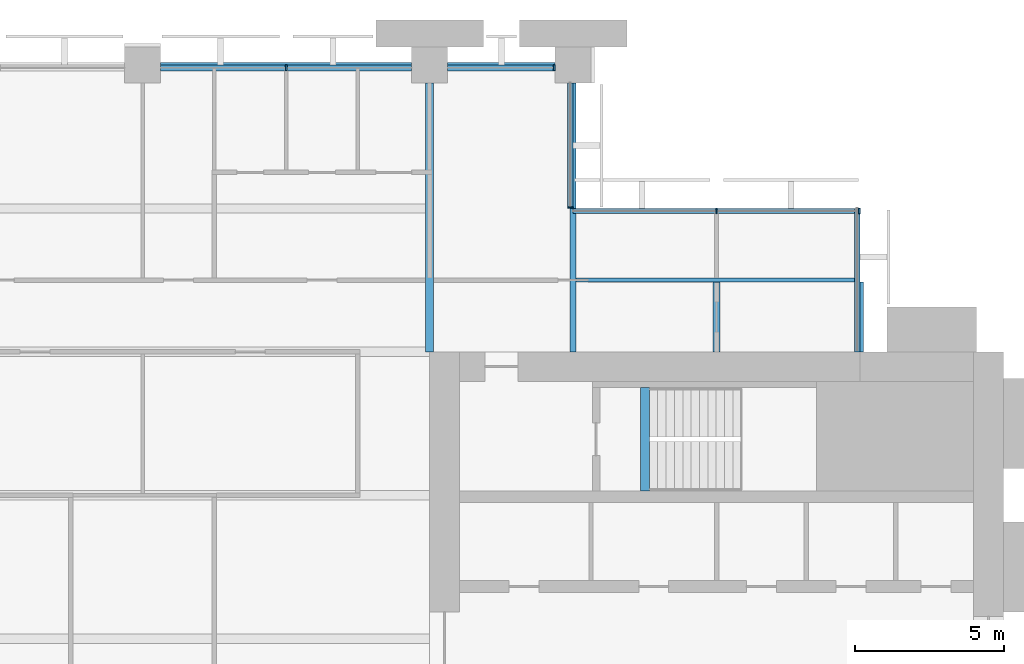
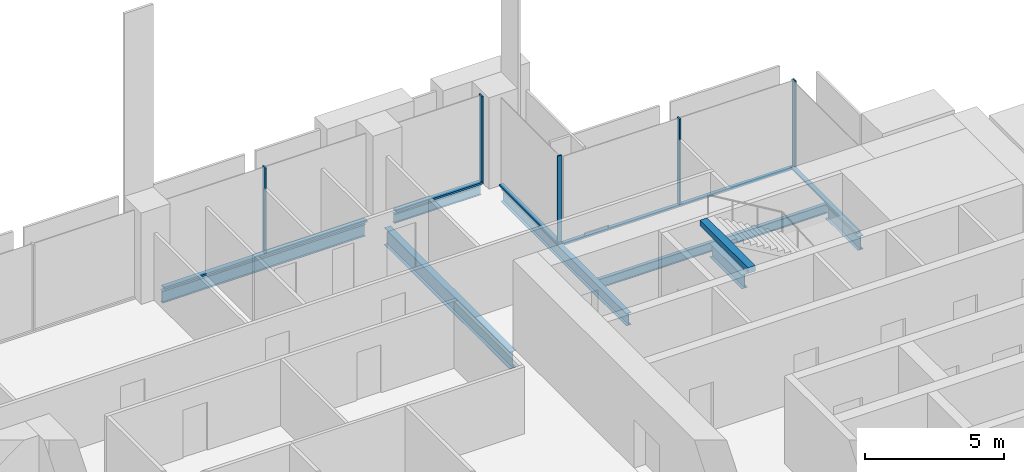
# One storey, part 7 of 14: 10 members, 8 beams, 4 elements without a shape of their own.
"""IFC4 building model written with IfcOpenShell, lengths in metres."""

from ifc_helpers import new_model, si_unit, direction, frame, origin, origin_2d, place, context, subcontext, project, spatial, rectangle, i_section, extrude, material, material_profile, profile_set, type_object, element, aggregate, save


model = new_model("IFC4")

# Units and contexts
model_context = context("Model", 3, precision=1e-05, world=origin(), true_north=direction((0.0, 1.0)))
body_context = subcontext(model_context, "Body", "Model", "MODEL_VIEW")
ifc_project = project(units=[si_unit("LENGTHUNIT", "METRE"), si_unit("AREAUNIT", "SQUARE_METRE"), si_unit("VOLUMEUNIT", "CUBIC_METRE"), si_unit("PLANEANGLEUNIT", "RADIAN"), si_unit("MASSUNIT", "GRAM", prefix="KILO")], contexts=[model_context])

# Site, building, storey
site_placement = place(None, origin())
site = spatial("IfcSite", under=ifc_project, at=site_placement, CompositionType="ELEMENT")
building_placement = place(site_placement, origin())
building = spatial("IfcBuilding", under=site, at=building_placement, Name="Baori Bourse Tower", CompositionType="ELEMENT")
storey_placement = place(building_placement, frame((0.0, 0.0, 108.10009765625)))
storey = spatial("IfcBuildingStorey", under=building, at=storey_placement, Name="L22", CompositionType="ELEMENT", Elevation=108.10009765625)

# Curtain wall, members
ifc_material_1 = material(Name="Pale anodised aluminium", Category="aluminium")
curtain_wall_type_1 = type_object("IfcCurtainWallType", Name="CW1 Curtain wall", PredefinedType="NOTDEFINED", material=ifc_material_1)
curtain_wall_1_placement = place(storey_placement, origin())
curtain_wall_1 = element("IfcCurtainWall", 1, at=curtain_wall_1_placement, inside=storey, type_object=curtain_wall_type_1, Name="Curtain wall CW1 L22 4", PredefinedType="NOTDEFINED")
ifc_material_2 = material(Name="Pale anodised aluminium", Category="aluminium")
ifc_material_profile_1 = material_profile(ifc_material_2, rectangle(XDim=0.199951171875, YDim=0.06005859375, at=origin_2d()), Name="Mullion 60x200")
ifc_profile_set_1 = profile_set([ifc_material_profile_1], Name="Pale anodised aluminium")
member_type_1 = type_object("IfcMemberType", Name="CW1 Curtain wall mullion", PredefinedType="MULLION", material=ifc_profile_set_1)
member_1_placement = place(storey_placement, frame((42.570068359375, 47.89990234375, 0.079833984375), z_axis=(0.0, 0.0, 1.0), x_axis=(0.0, -1.0, 0.0)))
member_1 = element("IfcMember", 2, at=member_1_placement, type_object=member_type_1, Name="Curtain wall CW1 mullion", PredefinedType="MULLION", context=body_context, shape_type="SweptSolid", body=[
    extrude(rectangle(XDim=0.199951171875, YDim=0.06005859375, at=origin_2d()), origin(), (0.0, 0.0, 1.0), 3.760009765625),
])
member_2_placement = place(storey_placement, frame((33.60009765625, 47.89990234375, 0.079833984375), z_axis=(0.0, 0.0, 1.0), x_axis=(0.0, -1.0, 0.0)))
member_2 = element("IfcMember", 3, at=member_2_placement, type_object=member_type_1, Name="Curtain wall CW1 mullion", PredefinedType="MULLION", context=body_context, shape_type="SweptSolid", body=[
    extrude(rectangle(XDim=0.199951171875, YDim=0.06005859375, at=origin_2d()), origin(), (0.0, 0.0, 1.0), 3.760009765625),
])
ifc_material_3 = material(Name="Pale anodised aluminium", Category="aluminium")
ifc_material_profile_2 = material_profile(ifc_material_3, rectangle(XDim=0.199951171875, YDim=0.080078125, at=origin_2d()), Name="Transom 80x200")
ifc_profile_set_2 = profile_set([ifc_material_profile_2], Name="Pale anodised aluminium")
member_type_2 = type_object("IfcMemberType", Name="CW1 Curtain wall transom", PredefinedType="USERDEFINED", material=ifc_profile_set_2)
member_3_placement = place(storey_placement, frame((42.60009765625, 47.89990234375, 0.039794921875), z_axis=(-1.0, 0.0, 0.0), x_axis=(0.0, -1.0, 0.0)))
member_3 = element("IfcMember", 4, at=member_3_placement, type_object=member_type_2, Name="Curtain wall CW1 sill rail", ObjectType="TRANSOM", PredefinedType="USERDEFINED", context=body_context, shape_type="SweptSolid", body=[
    extrude(rectangle(XDim=0.199951171875, YDim=0.080078125, at=origin_2d()), origin(), (0.0, 0.0, 1.0), 3.60009765625),
])
member_4_placement = place(storey_placement, frame((37.800048828125, 47.89990234375, 0.039794921875), z_axis=(-1.0, 0.0, 0.0), x_axis=(0.0, -1.0, 0.0)))
member_4 = element("IfcMember", 5, at=member_4_placement, type_object=member_type_2, Name="Curtain wall CW1 sill rail", ObjectType="TRANSOM", PredefinedType="USERDEFINED", context=body_context, shape_type="SweptSolid", body=[
    extrude(rectangle(XDim=0.199951171875, YDim=0.080078125, at=origin_2d()), origin(), (0.0, 0.0, 1.0), 8.400146484375),
])
aggregate(curtain_wall_1, [member_3, member_1, member_4, member_2])

ifc_material_4 = material(Name="Pale anodised aluminium", Category="aluminium")
curtain_wall_type_2 = type_object("IfcCurtainWallType", Name="CW2 Curtain wall", PredefinedType="NOTDEFINED", material=ifc_material_4)
curtain_wall_2_placement = place(storey_placement, origin())
curtain_wall_2 = element("IfcCurtainWall", 6, at=curtain_wall_2_placement, inside=storey, type_object=curtain_wall_type_2, Name="Curtain wall CW2 L22 2", PredefinedType="NOTDEFINED")
ifc_material_5 = material(Name="Pale anodised aluminium", Category="aluminium")
ifc_material_profile_3 = material_profile(ifc_material_5, rectangle(XDim=0.179931640625, YDim=0.054931640625, at=origin_2d()), Name="Mullion 55x180")
ifc_profile_set_3 = profile_set([ifc_material_profile_3], Name="Pale anodised aluminium")
member_type_3 = type_object("IfcMemberType", Name="CW2 Curtain wall mullion", PredefinedType="MULLION", material=ifc_profile_set_3)
member_5_placement = place(storey_placement, frame((52.7724609375, 43.110107421875, 0.06982421875), z_axis=(0.0, 0.0, 1.0), x_axis=(0.0, -1.0, 0.0)))
member_5 = element("IfcMember", 7, at=member_5_placement, type_object=member_type_3, Name="Curtain wall CW2 mullion", PredefinedType="MULLION", context=body_context, shape_type="SweptSolid", body=[
    extrude(rectangle(XDim=0.179931640625, YDim=0.054931640625, at=origin_2d()), origin(), (0.0, 0.0, 1.0), 3.77001953125),
])
member_6_placement = place(storey_placement, frame((48.0, 43.110107421875, 0.06982421875), z_axis=(0.0, 0.0, 1.0), x_axis=(0.0, -1.0, 0.0)))
member_6 = element("IfcMember", 8, at=member_6_placement, type_object=member_type_3, Name="Curtain wall CW2 mullion", PredefinedType="MULLION", context=body_context, shape_type="SweptSolid", body=[
    extrude(rectangle(XDim=0.179931640625, YDim=0.054931640625, at=origin_2d()), origin(), (0.0, 0.0, 1.0), 3.77001953125),
])

# Curtain wall, member
curtain_wall_3_placement = place(storey_placement, origin())
curtain_wall_3 = element("IfcCurtainWall", 9, at=curtain_wall_3_placement, inside=storey, type_object=curtain_wall_type_2, Name="Curtain wall CW2 L22 3", PredefinedType="NOTDEFINED")
member_7_placement = place(storey_placement, frame((43.110107421875, 43.2275390625, 0.06982421875), z_axis=(0.0, 0.0, 1.0), x_axis=(-1.0, 0.0, 0.0)))
member_7 = element("IfcMember", 10, at=member_7_placement, type_object=member_type_3, Name="Curtain wall CW2 mullion", PredefinedType="MULLION", context=body_context, shape_type="SweptSolid", body=[
    extrude(rectangle(XDim=0.179931640625, YDim=0.054931640625, at=origin_2d()), origin(), (0.0, 0.0, 1.0), 3.77001953125),
])

curtain_wall_4_placement = place(storey_placement, origin())
curtain_wall_4 = element("IfcCurtainWall", 11, at=curtain_wall_4_placement, inside=storey, type_object=curtain_wall_type_2, Name="Curtain wall CW2 L22 1", PredefinedType="NOTDEFINED")
ifc_material_6 = material(Name="Pale anodised aluminium", Category="aluminium")
ifc_material_profile_4 = material_profile(ifc_material_6, rectangle(XDim=0.179931640625, YDim=0.070068359375, at=origin_2d()), Name="Transom 70x180")
ifc_profile_set_4 = profile_set([ifc_material_profile_4], Name="Pale anodised aluminium")
member_type_4 = type_object("IfcMemberType", Name="CW2 Curtain wall transom", PredefinedType="USERDEFINED", material=ifc_profile_set_4)
member_8_placement = place(storey_placement, frame((52.7099609375, 38.39990234375, 0.034912109375), z_axis=(0.0, 1.0, 0.0), x_axis=(-1.0, 0.0, 0.0)))
member_8 = element("IfcMember", 12, at=member_8_placement, type_object=member_type_4, Name="Curtain wall CW2 sill rail", ObjectType="TRANSOM", PredefinedType="USERDEFINED", context=body_context, shape_type="SweptSolid", body=[
    extrude(rectangle(XDim=0.179931640625, YDim=0.070068359375, at=origin_2d()), origin(), (0.0, 0.0, 1.0), 4.800048828125),
])
aggregate(curtain_wall_4, [member_8])

# Member
member_9_placement = place(storey_placement, frame((52.800048828125, 43.110107421875, 0.034912109375), z_axis=(-1.0, 0.0, 0.0), x_axis=(0.0, -1.0, 0.0)))
member_9 = element("IfcMember", 13, at=member_9_placement, type_object=member_type_4, Name="Curtain wall CW2 sill rail", ObjectType="TRANSOM", PredefinedType="USERDEFINED", context=body_context, shape_type="SweptSolid", body=[
    extrude(rectangle(XDim=0.179931640625, YDim=0.070068359375, at=origin_2d()), origin(), (0.0, 0.0, 1.0), 9.60009765625),
])

aggregate(curtain_wall_2, [member_9, member_5, member_6])

member_10_placement = place(storey_placement, frame((43.110107421875, 43.199951171875, 0.034912109375), z_axis=(0.0, 1.0, 0.0), x_axis=(-1.0, 0.0, 0.0)))
member_10 = element("IfcMember", 14, at=member_10_placement, type_object=member_type_4, Name="Curtain wall CW2 sill rail", ObjectType="TRANSOM", PredefinedType="USERDEFINED", context=body_context, shape_type="SweptSolid", body=[
    extrude(rectangle(XDim=0.179931640625, YDim=0.070068359375, at=origin_2d()), origin(), (0.0, 0.0, 1.0), 4.199951171875),
])

aggregate(curtain_wall_3, [member_10, member_7])

# Beams
ifc_material_7 = material(Name="Steel A992 Gr 50", Category="steel")
ifc_material_profile_5 = material_profile(ifc_material_7, i_section(OverallWidth=0.227783203125, OverallDepth=0.60205078125, WebThickness=0.010498046875, FlangeThickness=0.014892578125, at=origin_2d()), Name="W24x68")
ifc_profile_set_5 = profile_set([ifc_material_profile_5], Name="Steel A992 Gr 50")
beam_type_1 = type_object("IfcBeamType", Name="Core bracket W24x68", PredefinedType="BEAM", material=ifc_profile_set_5)
for number, where, z_axis, x_axis, name in (
    (15, (48.0, 38.39990234375, -0.461181640625), (0.0, 1.0, 0.0), (-1.0, 0.0, 0.0), "Core bracket L22"),
    (16, (52.800048828125, 38.39990234375, -0.461181640625), (0.0, 1.0, 0.0), (-1.0, 0.0, 0.0), "Core bracket L22"),
):
    element("IfcBeam", number, at=place(storey_placement, frame(where, z_axis=z_axis, x_axis=x_axis)), inside=storey, type_object=beam_type_1, Name=name, PredefinedType="BEAM", context=body_context, shape_type="SweptSolid", body=[
        extrude(i_section(OverallWidth=0.227783203125, OverallDepth=0.60205078125, WebThickness=0.010498046875, FlangeThickness=0.014892578125, at=origin_2d()), origin(), (0.0, 0.0, 1.0), 2.329833984375),
    ])
ifc_material_8 = material(Name="Steel A992 Gr 50", Category="steel")
ifc_material_profile_6 = material_profile(ifc_material_8, i_section(OverallWidth=0.140380859375, OverallDepth=0.40380859375, WebThickness=0.007080078125, FlangeThickness=0.01123046875, at=origin_2d()), Name="W16x31")
ifc_profile_set_6 = profile_set([ifc_material_profile_6], Name="Steel A992 Gr 50")
beam_type_2 = type_object("IfcBeamType", Name="Edge beam W16x31", PredefinedType="BEAM", material=ifc_profile_set_6)
beam_1_placement = place(storey_placement, frame((39.0, 48.0, -0.362060546875), z_axis=(1.0, 0.0, 0.0), x_axis=(0.0, 1.0, 0.0)))
element("IfcBeam", 17, at=beam_1_placement, inside=storey, type_object=beam_type_2, Name="Edge beam L22", PredefinedType="BEAM", context=body_context, shape_type="SweptSolid", body=[
    extrude(i_section(OverallWidth=0.140380859375, OverallDepth=0.40380859375, WebThickness=0.007080078125, FlangeThickness=0.01123046875, at=origin_2d()), origin(), (0.0, 0.0, 1.0), 3.60009765625),
])
ifc_material_9 = material(Name="Steel A992 Gr 50", Category="steel")
ifc_material_profile_7 = material_profile(ifc_material_9, i_section(OverallWidth=0.1650390625, OverallDepth=0.52587890625, WebThickness=0.0087890625, FlangeThickness=0.011474609375, at=origin_2d()), Name="W21x44")
ifc_profile_set_7 = profile_set([ifc_material_profile_7], Name="Steel A992 Gr 50")
beam_type_3 = type_object("IfcBeamType", Name="Edge beam W21x44", PredefinedType="BEAM", material=ifc_profile_set_7)
beam_2_placement = place(storey_placement, frame((29.39990234375, 48.0, -0.423095703125), z_axis=(1.0, 0.0, 0.0), x_axis=(0.0, 1.0, 0.0)))
element("IfcBeam", 18, at=beam_2_placement, inside=storey, type_object=beam_type_3, Name="Edge beam L22", PredefinedType="BEAM", context=body_context, shape_type="SweptSolid", body=[
    extrude(i_section(OverallWidth=0.1650390625, OverallDepth=0.52587890625, WebThickness=0.0087890625, FlangeThickness=0.011474609375, at=origin_2d()), origin(), (0.0, 0.0, 1.0), 8.400146484375),
])
ifc_material_10 = material(Name="Steel A992 Gr 50", Category="steel")
ifc_material_profile_8 = material_profile(ifc_material_10, i_section(OverallWidth=0.21240234375, OverallDepth=0.54345703125, WebThickness=0.01318359375, FlangeThickness=0.021240234375, at=origin_2d()), Name="W21x83")
ifc_profile_set_8 = profile_set([ifc_material_profile_8], Name="Steel A992 Gr 50")
beam_type_4 = type_object("IfcBeamType", Name="Floor beam W21x83", PredefinedType="BEAM", material=ifc_profile_set_8)
beam_3_placement = place(storey_placement, frame((43.199951171875, 38.39990234375, -0.431884765625), z_axis=(0.0, 1.0, 0.0), x_axis=(-1.0, 0.0, 0.0)))
element("IfcBeam", 19, at=beam_3_placement, inside=storey, type_object=beam_type_4, Name="Floor beam L22", PredefinedType="BEAM", context=body_context, shape_type="SweptSolid", body=[
    extrude(i_section(OverallWidth=0.21240234375, OverallDepth=0.54345703125, WebThickness=0.01318359375, FlangeThickness=0.021240234375, at=origin_2d()), origin(), (0.0, 0.0, 1.0), 9.0),
])
ifc_material_11 = material(Name="Steel A992 Gr 50", Category="steel")
ifc_material_profile_9 = material_profile(ifc_material_11, i_section(OverallWidth=0.26416015625, OverallDepth=0.749267578125, WebThickness=0.011962890625, FlangeThickness=0.015380859375, at=origin_2d()), Name="W30x90")
ifc_profile_set_9 = profile_set([ifc_material_profile_9], Name="Steel A992 Gr 50")
beam_type_5 = type_object("IfcBeamType", Name="Girder W30x90", PredefinedType="BEAM", material=ifc_profile_set_9)
beam_4_placement = place(storey_placement, frame((38.39990234375, 38.39990234375, -0.53466796875), z_axis=(0.0, 1.0, 0.0), x_axis=(-1.0, 0.0, 0.0)))
element("IfcBeam", 20, at=beam_4_placement, inside=storey, type_object=beam_type_5, Name="Girder L22", PredefinedType="BEAM", context=body_context, shape_type="SweptSolid", body=[
    extrude(i_section(OverallWidth=0.26416015625, OverallDepth=0.749267578125, WebThickness=0.011962890625, FlangeThickness=0.015380859375, at=origin_2d()), origin(), (0.0, 0.0, 1.0), 9.0),
])
ifc_material_12 = material(Name="Concrete f'c 50 MPa", Category="concrete")
ifc_material_profile_10 = material_profile(ifc_material_12, rectangle(XDim=0.300048828125, YDim=0.25, at=origin_2d()), Name="RC 300x250")
ifc_profile_set_10 = profile_set([ifc_material_profile_10], Name="Concrete f'c 50 MPa")
beam_type_6 = type_object("IfcBeamType", Name="Stair nib beam RC 300x250", PredefinedType="BEAM", material=ifc_profile_set_10)
beam_5_placement = place(storey_placement, frame((45.60009765625, 33.75, 3.71484375), z_axis=(0.0, 1.0, 0.0), x_axis=(-1.0, 0.0, 0.0)))
element("IfcBeam", 21, at=beam_5_placement, inside=storey, type_object=beam_type_6, Name="Stair EB nib beam L23", PredefinedType="BEAM", context=body_context, shape_type="SweptSolid", body=[
    extrude(rectangle(XDim=0.300048828125, YDim=0.25, at=origin_2d()), origin(), (0.0, 0.0, 1.0), 3.449951171875),
])
ifc_material_13 = material(Name="Steel A992 Gr 50", Category="steel")
ifc_material_profile_11 = material_profile(ifc_material_13, i_section(OverallWidth=0.140380859375, OverallDepth=0.40380859375, WebThickness=0.007080078125, FlangeThickness=0.01123046875, at=origin_2d()), Name="W16x31")
ifc_profile_set_11 = profile_set([ifc_material_profile_11], Name="Steel A992 Gr 50")
beam_type_7 = type_object("IfcBeamType", Name="Trimmer beam W16x31", PredefinedType="BEAM", material=ifc_profile_set_11)
beam_6_placement = place(storey_placement, frame((43.30615234375, 40.800048828125, -0.362060546875), z_axis=(1.0, 0.0, 0.0), x_axis=(0.0, 1.0, 0.0)))
element("IfcBeam", 22, at=beam_6_placement, inside=storey, type_object=beam_type_7, Name="Trimmer beam L22", PredefinedType="BEAM", context=body_context, shape_type="SweptSolid", body=[
    extrude(i_section(OverallWidth=0.140380859375, OverallDepth=0.40380859375, WebThickness=0.007080078125, FlangeThickness=0.01123046875, at=origin_2d()), origin(), (0.0, 0.0, 1.0), 9.493896484375),
])

save(model, "model.ifc")
